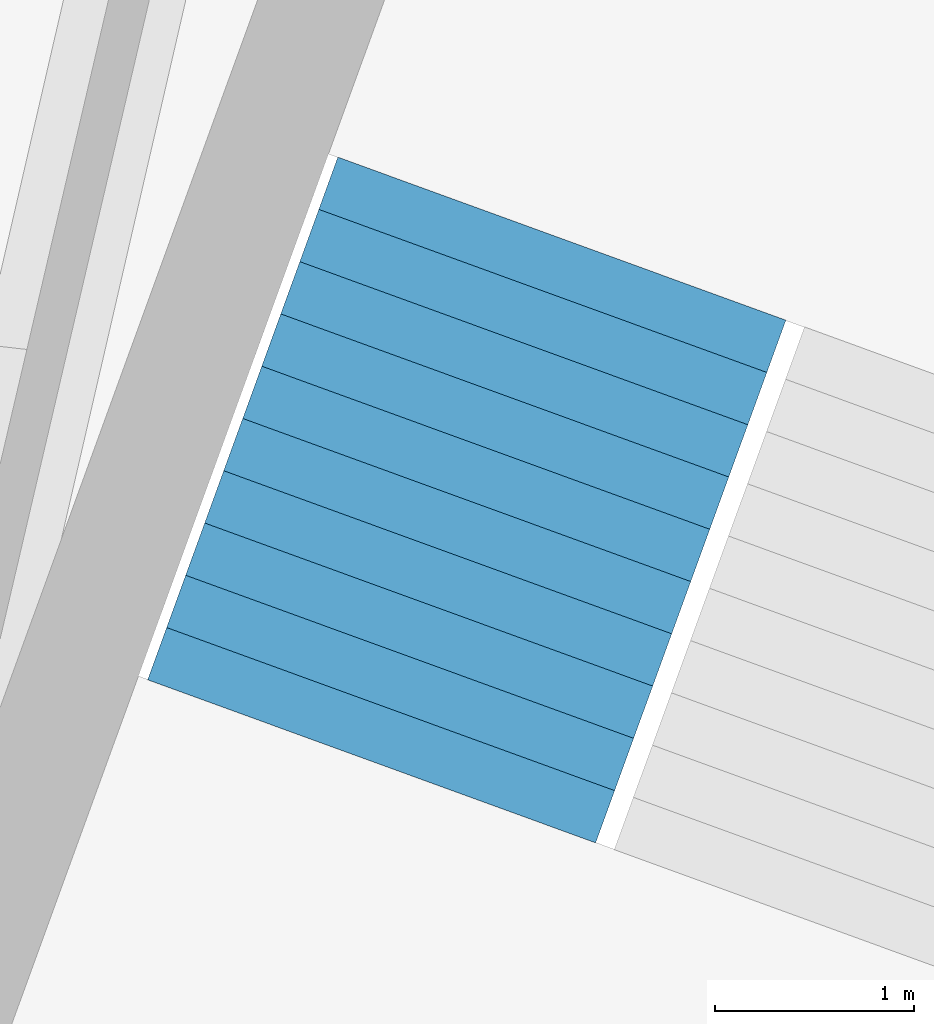
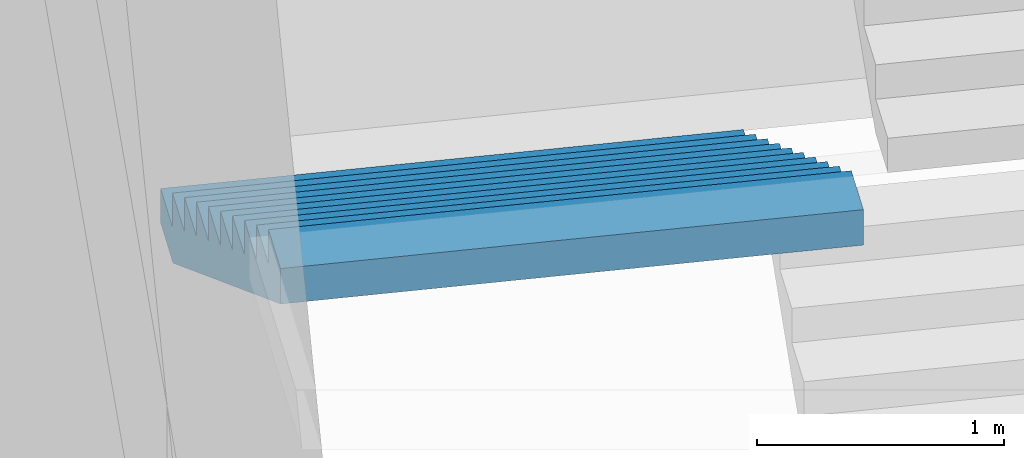
# One storey, part 47 of 73: 1 stair flight, 1 element without a shape of its own.
"""IFC4 building model written with IfcOpenShell, lengths in metres."""

from ifc_helpers import new_model, si_unit, direction, frame, origin, place, context, subcontext, project, spatial, triangles, material, type_object, element, aggregate, save


model = new_model("IFC4")

# Units and contexts
model_context = context("Model", 3, precision=1e-05, world=origin(), true_north=direction((0.0, 1.0)))
body_context = subcontext(model_context, "Body", "Model", "MODEL_VIEW")
ifc_project = project(units=[si_unit("LENGTHUNIT", "METRE"), si_unit("AREAUNIT", "SQUARE_METRE"), si_unit("VOLUMEUNIT", "CUBIC_METRE"), si_unit("PLANEANGLEUNIT", "RADIAN"), si_unit("MASSUNIT", "GRAM", prefix="KILO")], contexts=[model_context])

# Site, building, storey
site_placement = place(None, origin())
site = spatial("IfcSite", under=ifc_project, at=site_placement, CompositionType="ELEMENT")
building_placement = place(site_placement, origin())
building = spatial("IfcBuilding", under=site, at=building_placement, Name="Lantaw Convention Tower", CompositionType="ELEMENT")
storey_placement = place(building_placement, frame((0.0, 0.0, 14.5)))
storey = spatial("IfcBuildingStorey", under=building, at=storey_placement, Name="L02", CompositionType="ELEMENT", Elevation=14.5)

# Stair, stair flight
ifc_material = material(Name="Concrete C35/45", Category="concrete")
stair_type = type_object("IfcStairType", Name="Exit stair 2400 riser 170.45 in 4 flights", PredefinedType="HALF_TURN_STAIR", material=ifc_material)
stair_placement = place(storey_placement, origin())
stair = element("IfcStair", 1, at=stair_placement, inside=storey, type_object=stair_type, Name="Podium exit stair P5 L02", PredefinedType="HALF_TURN_STAIR")
stair_flight_type = type_object("IfcStairFlightType", Name="Stair flight 2400 riser 170.45", PredefinedType="STRAIGHT", material=ifc_material)
stair_flight_placement = place(storey_placement, frame((9.084716796875, 28.61474609375, 1.875), z_axis=(0.0, 0.0, 1.0), x_axis=(-0.342020143326, -0.939692620786, 0.0)))
stair_flight = element("IfcStairFlight", 2, at=stair_flight_placement, type_object=stair_flight_type, Name="P5 flight 2", NumberOfRisers=11, NumberOfTreads=10, PredefinedType="STRAIGHT", RiserHeight=0.170454545, TreadLength=0.28, context=body_context, shape_type="Tessellation", body=[
    triangles([(0.0, 1.199951171875, 0.0), (0.0, 1.199951171875, 0.170454545), (0.28, 1.199951171875, 0.0), (0.28, 1.199951171875, 0.170454545), (0.28, 1.199951171875, 0.34090909), (0.28827876332691904, 1.199951171875, 0.0), (0.28827876332691904, 1.199951171875, 0.34090909), (0.56, 1.199951171875, 0.16541471344266906), (0.56, 1.199951171875, 0.34090909), (0.56, 1.199951171875, 0.511363635), (0.8400000000000001, 1.199951171875, 0.335869258442669), (0.8400000000000001, 1.199951171875, 0.511363635), (0.8400000000000001, 1.199951171875, 0.68181818), (1.12, 1.199951171875, 0.506323803442669), (1.12, 1.199951171875, 0.68181818), (1.12, 1.199951171875, 0.8522727250000001), (1.4000000000000001, 1.199951171875, 0.676778348442669), (1.4000000000000001, 1.199951171875, 0.8522727250000001), (1.4000000000000001, 1.199951171875, 1.02272727), (1.6800000000000002, 1.199951171875, 0.847232893442669), (1.6800000000000002, 1.199951171875, 1.02272727), (1.6800000000000002, 1.199951171875, 1.193181815), (1.9600000000000002, 1.199951171875, 1.017687438442669), (1.9600000000000002, 1.199951171875, 1.193181815), (1.9600000000000002, 1.199951171875, 1.36363636), (2.24, 1.199951171875, 1.188141983442669), (2.24, 1.199951171875, 1.36363636), (2.24, 1.199951171875, 1.5340909050000002), (2.5200000000000005, 1.199951171875, 1.358596528442669), (2.5200000000000005, 1.199951171875, 1.5340909050000002), (2.5200000000000005, 1.199951171875, 1.7045454500000001), (2.8000000000000003, 1.199951171875, 1.529051073442669), (2.8000000000000003, 1.199951171875, 1.7045454500000001), (0.0, -1.199951171875, 0.0), (0.0, -1.199951171875, 0.170454545), (0.28, -1.199951171875, 0.0), (0.28, -1.199951171875, 0.170454545), (0.28, -1.199951171875, 0.34090909), (0.28827876332691904, -1.199951171875, 0.0), (0.28827876332691904, -1.199951171875, 0.34090909), (0.56, -1.199951171875, 0.16541471344266906), (0.56, -1.199951171875, 0.34090909), (0.56, -1.199951171875, 0.511363635), (0.8400000000000001, -1.199951171875, 0.335869258442669), (0.8400000000000001, -1.199951171875, 0.511363635), (0.8400000000000001, -1.199951171875, 0.68181818), (1.12, -1.199951171875, 0.506323803442669), (1.12, -1.199951171875, 0.68181818), (1.12, -1.199951171875, 0.8522727250000001), (1.4000000000000001, -1.199951171875, 0.676778348442669), (1.4000000000000001, -1.199951171875, 0.8522727250000001), (1.4000000000000001, -1.199951171875, 1.02272727), (1.6800000000000002, -1.199951171875, 0.847232893442669), (1.6800000000000002, -1.199951171875, 1.02272727), (1.6800000000000002, -1.199951171875, 1.193181815), (1.9600000000000002, -1.199951171875, 1.017687438442669), (1.9600000000000002, -1.199951171875, 1.193181815), (1.9600000000000002, -1.199951171875, 1.36363636), (2.24, -1.199951171875, 1.188141983442669), (2.24, -1.199951171875, 1.36363636), (2.24, -1.199951171875, 1.5340909050000002), (2.5200000000000005, -1.199951171875, 1.358596528442669), (2.5200000000000005, -1.199951171875, 1.5340909050000002), (2.5200000000000005, -1.199951171875, 1.7045454500000001), (2.8000000000000003, -1.199951171875, 1.529051073442669), (2.8000000000000003, -1.199951171875, 1.7045454500000001), (0.0, 0.239990234375, 0.170454545), (0.0, 0.239990234375, 0.0), (0.0, 0.1199951171875, 0.170454545), (0.0, 0.1199951171875, 0.0), (0.0, 0.0, 0.170454545), (0.0, 0.0, 0.0), (0.0, -0.1199951171875, 0.170454545), (0.0, -0.1199951171875, 0.0), (0.0, -0.239990234375, 0.170454545), (0.0, -0.239990234375, 0.0), (0.28, 0.239990234375, 0.34090909), (0.28, 0.239990234375, 0.170454545), (0.28, 0.1199951171875, 0.34090909), (0.28, 0.1199951171875, 0.170454545), (0.28, 0.0, 0.34090909), (0.28, 0.0, 0.170454545), (0.28, -0.1199951171875, 0.34090909), (0.28, -0.1199951171875, 0.170454545), (0.28, -0.239990234375, 0.34090909), (0.28, -0.239990234375, 0.170454545), (0.56, 0.239990234375, 0.511363635), (0.56, 0.239990234375, 0.34090909), (0.56, 0.1199951171875, 0.511363635), (0.56, 0.1199951171875, 0.34090909), (0.56, 0.0, 0.511363635), (0.56, 0.0, 0.34090909), (0.56, -0.1199951171875, 0.511363635), (0.56, -0.1199951171875, 0.34090909), (0.56, -0.239990234375, 0.511363635), (0.56, -0.239990234375, 0.34090909), (0.8400000000000001, 0.239990234375, 0.68181818), (0.8400000000000001, 0.239990234375, 0.511363635), (0.8400000000000001, 0.1199951171875, 0.68181818), (0.8400000000000001, 0.1199951171875, 0.511363635), (0.8400000000000001, 0.0, 0.68181818), (0.8400000000000001, 0.0, 0.511363635), (0.8400000000000001, -0.1199951171875, 0.68181818), (0.8400000000000001, -0.1199951171875, 0.511363635), (0.8400000000000001, -0.239990234375, 0.68181818), (0.8400000000000001, -0.239990234375, 0.511363635), (1.12, 0.239990234375, 0.8522727250000001), (1.12, 0.239990234375, 0.68181818), (1.12, 0.1199951171875, 0.8522727250000001), (1.12, 0.1199951171875, 0.68181818), (1.12, 0.0, 0.8522727250000001), (1.12, 0.0, 0.68181818), (1.12, -0.1199951171875, 0.8522727250000001), (1.12, -0.1199951171875, 0.68181818), (1.12, -0.239990234375, 0.8522727250000001), (1.12, -0.239990234375, 0.68181818), (1.4000000000000001, 0.239990234375, 1.02272727), (1.4000000000000001, 0.239990234375, 0.8522727250000001), (1.4000000000000001, 0.1199951171875, 1.02272727), (1.4000000000000001, 0.1199951171875, 0.8522727250000001), (1.4000000000000001, 0.0, 1.02272727), (1.4000000000000001, 0.0, 0.8522727250000001), (1.4000000000000001, -0.1199951171875, 1.02272727), (1.4000000000000001, -0.1199951171875, 0.8522727250000001), (1.4000000000000001, -0.239990234375, 1.02272727), (1.4000000000000001, -0.239990234375, 0.8522727250000001), (1.6800000000000002, 0.239990234375, 1.193181815), (1.6800000000000002, 0.239990234375, 1.02272727), (1.6800000000000002, 0.1199951171875, 1.193181815), (1.6800000000000002, 0.1199951171875, 1.02272727), (1.6800000000000002, 0.0, 1.193181815), (1.6800000000000002, 0.0, 1.02272727), (1.6800000000000002, -0.1199951171875, 1.193181815), (1.6800000000000002, -0.1199951171875, 1.02272727), (1.6800000000000002, -0.239990234375, 1.193181815), (1.6800000000000002, -0.239990234375, 1.02272727), (1.9600000000000002, 0.239990234375, 1.36363636), (1.9600000000000002, 0.239990234375, 1.193181815), (1.9600000000000002, 0.1199951171875, 1.36363636), (1.9600000000000002, 0.1199951171875, 1.193181815), (1.9600000000000002, 0.0, 1.36363636), (1.9600000000000002, 0.0, 1.193181815), (1.9600000000000002, -0.1199951171875, 1.36363636), (1.9600000000000002, -0.1199951171875, 1.193181815), (1.9600000000000002, -0.239990234375, 1.36363636), (1.9600000000000002, -0.239990234375, 1.193181815), (2.24, 0.239990234375, 1.5340909050000002), (2.24, 0.239990234375, 1.36363636), (2.24, 0.1199951171875, 1.5340909050000002), (2.24, 0.1199951171875, 1.36363636), (2.24, 0.0, 1.5340909050000002), (2.24, 0.0, 1.36363636), (2.24, -0.1199951171875, 1.5340909050000002), (2.24, -0.1199951171875, 1.36363636), (2.24, -0.239990234375, 1.5340909050000002), (2.24, -0.239990234375, 1.36363636), (2.5200000000000005, 0.239990234375, 1.7045454500000001), (2.5200000000000005, 0.239990234375, 1.5340909050000002), (2.5200000000000005, 0.1199951171875, 1.7045454500000001), (2.5200000000000005, 0.1199951171875, 1.5340909050000002), (2.5200000000000005, 0.0, 1.7045454500000001), (2.5200000000000005, 0.0, 1.5340909050000002), (2.5200000000000005, -0.1199951171875, 1.7045454500000001), (2.5200000000000005, -0.1199951171875, 1.5340909050000002), (2.5200000000000005, -0.239990234375, 1.7045454500000001), (2.5200000000000005, -0.239990234375, 1.5340909050000002), (0.28827876332691904, 0.239990234375, 0.34090909), (0.28827876332691904, 0.1199951171875, 0.34090909), (0.28827876332691904, 0.0, 0.34090909), (0.28827876332691904, -0.1199951171875, 0.34090909), (0.28827876332691904, -0.239990234375, 0.34090909), (2.8000000000000003, 0.239990234375, 1.7045454500000001), (2.8000000000000003, 0.1199951171875, 1.7045454500000001), (2.8000000000000003, 0.0, 1.7045454500000001), (2.8000000000000003, -0.1199951171875, 1.7045454500000001), (2.8000000000000003, -0.239990234375, 1.7045454500000001), (2.8000000000000003, 0.239990234375, 1.5290510734426692), (2.8000000000000003, 0.1199951171875, 1.5290510734426692), (2.8000000000000003, 0.0, 1.5290510734426692), (2.8000000000000003, -0.1199951171875, 1.5290510734426692), (2.8000000000000003, -0.239990234375, 1.5290510734426692), (2.5200000000000005, 0.239990234375, 1.358596528442669), (2.5200000000000005, 0.1199951171875, 1.358596528442669), (2.5200000000000005, 0.0, 1.358596528442669), (2.5200000000000005, -0.1199951171875, 1.358596528442669), (2.5200000000000005, -0.239990234375, 1.358596528442669), (2.24, 0.239990234375, 1.188141983442669), (2.24, 0.1199951171875, 1.188141983442669), (2.24, 0.0, 1.188141983442669), (2.24, -0.1199951171875, 1.188141983442669), (2.24, -0.239990234375, 1.188141983442669), (1.9600000000000002, 0.239990234375, 1.017687438442669), (1.9600000000000002, 0.1199951171875, 1.017687438442669), (1.9600000000000002, 0.0, 1.017687438442669), (1.9600000000000002, -0.1199951171875, 1.017687438442669), (1.9600000000000002, -0.239990234375, 1.017687438442669), (1.6800000000000002, 0.239990234375, 0.847232893442669), (1.6800000000000002, 0.1199951171875, 0.847232893442669), (1.6800000000000002, 0.0, 0.847232893442669), (1.6800000000000002, -0.1199951171875, 0.847232893442669), (1.6800000000000002, -0.239990234375, 0.847232893442669), (1.4000000000000001, 0.239990234375, 0.676778348442669), (1.4000000000000001, 0.1199951171875, 0.676778348442669), (1.4000000000000001, 0.0, 0.676778348442669), (1.4000000000000001, -0.1199951171875, 0.676778348442669), (1.4000000000000001, -0.239990234375, 0.676778348442669), (1.12, 0.239990234375, 0.506323803442669), (1.12, 0.1199951171875, 0.506323803442669), (1.12, 0.0, 0.506323803442669), (1.12, -0.1199951171875, 0.506323803442669), (1.12, -0.239990234375, 0.506323803442669), (0.8400000000000001, 0.239990234375, 0.335869258442669), (0.8400000000000001, 0.1199951171875, 0.335869258442669), (0.8400000000000001, 0.0, 0.335869258442669), (0.8400000000000001, -0.1199951171875, 0.335869258442669), (0.8400000000000001, -0.239990234375, 0.335869258442669), (0.56, 0.239990234375, 0.16541471344266906), (0.56, 0.1199951171875, 0.16541471344266906), (0.56, 0.0, 0.16541471344266906), (0.56, -0.1199951171875, 0.16541471344266906), (0.56, -0.239990234375, 0.16541471344266906), (0.28827876332691904, 0.239990234375, 0.0), (0.28827876332691904, 0.1199951171875, 0.0), (0.28827876332691904, 0.0, 0.0), (0.28827876332691904, -0.1199951171875, 0.0), (0.28827876332691904, -0.239990234375, 0.0), (0.28, 0.239990234375, 0.0), (0.28, 0.1199951171875, 0.0), (0.28, 0.0, 0.0), (0.28, -0.1199951171875, 0.0), (0.28, -0.239990234375, 0.0)], [[1, 4, 3], [1, 2, 4], [3, 4, 6], [4, 7, 6], [4, 5, 7], [6, 9, 8], [6, 7, 9], [8, 9, 11], [9, 12, 11], [9, 10, 12], [11, 12, 14], [12, 15, 14], [12, 13, 15], [14, 15, 17], [15, 18, 17], [15, 16, 18], [17, 18, 20], [18, 21, 20], [18, 19, 21], [20, 21, 23], [21, 24, 23], [21, 22, 24], [23, 24, 26], [24, 27, 26], [24, 25, 27], [26, 27, 29], [27, 30, 29], [27, 28, 30], [29, 30, 32], [30, 33, 32], [30, 31, 33], [34, 36, 37], [34, 37, 35], [36, 39, 37], [37, 39, 40], [37, 40, 38], [39, 41, 42], [39, 42, 40], [41, 44, 42], [42, 44, 45], [42, 45, 43], [44, 47, 45], [45, 47, 48], [45, 48, 46], [47, 50, 48], [48, 50, 51], [48, 51, 49], [50, 53, 51], [51, 53, 54], [51, 54, 52], [53, 56, 54], [54, 56, 57], [54, 57, 55], [56, 59, 57], [57, 59, 60], [57, 60, 58], [59, 62, 60], [60, 62, 63], [60, 63, 61], [62, 65, 63], [63, 65, 66], [63, 66, 64], [1, 67, 2], [1, 68, 67], [68, 69, 67], [68, 70, 69], [70, 71, 69], [70, 72, 71], [72, 73, 71], [72, 74, 73], [74, 75, 73], [74, 76, 75], [76, 35, 75], [76, 34, 35], [4, 77, 5], [4, 78, 77], [78, 79, 77], [78, 80, 79], [80, 81, 79], [80, 82, 81], [82, 83, 81], [82, 84, 83], [84, 85, 83], [84, 86, 85], [86, 38, 85], [86, 37, 38], [9, 87, 10], [9, 88, 87], [88, 89, 87], [88, 90, 89], [90, 91, 89], [90, 92, 91], [92, 93, 91], [92, 94, 93], [94, 95, 93], [94, 96, 95], [96, 43, 95], [96, 42, 43], [12, 97, 13], [12, 98, 97], [98, 99, 97], [98, 100, 99], [100, 101, 99], [100, 102, 101], [102, 103, 101], [102, 104, 103], [104, 105, 103], [104, 106, 105], [106, 46, 105], [106, 45, 46], [15, 107, 16], [15, 108, 107], [108, 109, 107], [108, 110, 109], [110, 111, 109], [110, 112, 111], [112, 113, 111], [112, 114, 113], [114, 115, 113], [114, 116, 115], [116, 49, 115], [116, 48, 49], [18, 117, 19], [18, 118, 117], [118, 119, 117], [118, 120, 119], [120, 121, 119], [120, 122, 121], [122, 123, 121], [122, 124, 123], [124, 125, 123], [124, 126, 125], [126, 52, 125], [126, 51, 52], [21, 127, 22], [21, 128, 127], [128, 129, 127], [128, 130, 129], [130, 131, 129], [130, 132, 131], [132, 133, 131], [132, 134, 133], [134, 135, 133], [134, 136, 135], [136, 55, 135], [136, 54, 55], [24, 137, 25], [24, 138, 137], [138, 139, 137], [138, 140, 139], [140, 141, 139], [140, 142, 141], [142, 143, 141], [142, 144, 143], [144, 145, 143], [144, 146, 145], [146, 58, 145], [146, 57, 58], [27, 147, 28], [27, 148, 147], [148, 149, 147], [148, 150, 149], [150, 151, 149], [150, 152, 151], [152, 153, 151], [152, 154, 153], [154, 155, 153], [154, 156, 155], [156, 61, 155], [156, 60, 61], [30, 157, 31], [30, 158, 157], [158, 159, 157], [158, 160, 159], [160, 161, 159], [160, 162, 161], [162, 163, 161], [162, 164, 163], [164, 165, 163], [164, 166, 165], [166, 64, 165], [166, 63, 64], [2, 78, 4], [2, 67, 78], [67, 80, 78], [67, 69, 80], [69, 82, 80], [69, 71, 82], [71, 84, 82], [71, 73, 84], [73, 86, 84], [73, 75, 86], [75, 37, 86], [75, 35, 37], [5, 167, 7], [5, 77, 167], [77, 168, 167], [77, 79, 168], [79, 169, 168], [79, 81, 169], [81, 170, 169], [81, 83, 170], [83, 171, 170], [83, 85, 171], [85, 40, 171], [85, 38, 40], [7, 88, 9], [7, 167, 88], [167, 90, 88], [167, 168, 90], [168, 92, 90], [168, 169, 92], [169, 94, 92], [169, 170, 94], [170, 96, 94], [170, 171, 96], [171, 42, 96], [171, 40, 42], [10, 98, 12], [10, 87, 98], [87, 100, 98], [87, 89, 100], [89, 102, 100], [89, 91, 102], [91, 104, 102], [91, 93, 104], [93, 106, 104], [93, 95, 106], [95, 45, 106], [95, 43, 45], [13, 108, 15], [13, 97, 108], [97, 110, 108], [97, 99, 110], [99, 112, 110], [99, 101, 112], [101, 114, 112], [101, 103, 114], [103, 116, 114], [103, 105, 116], [105, 48, 116], [105, 46, 48], [16, 118, 18], [16, 107, 118], [107, 120, 118], [107, 109, 120], [109, 122, 120], [109, 111, 122], [111, 124, 122], [111, 113, 124], [113, 126, 124], [113, 115, 126], [115, 51, 126], [115, 49, 51], [19, 128, 21], [19, 117, 128], [117, 130, 128], [117, 119, 130], [119, 132, 130], [119, 121, 132], [121, 134, 132], [121, 123, 134], [123, 136, 134], [123, 125, 136], [125, 54, 136], [125, 52, 54], [22, 138, 24], [22, 127, 138], [127, 140, 138], [127, 129, 140], [129, 142, 140], [129, 131, 142], [131, 144, 142], [131, 133, 144], [133, 146, 144], [133, 135, 146], [135, 57, 146], [135, 55, 57], [25, 148, 27], [25, 137, 148], [137, 150, 148], [137, 139, 150], [139, 152, 150], [139, 141, 152], [141, 154, 152], [141, 143, 154], [143, 156, 154], [143, 145, 156], [145, 60, 156], [145, 58, 60], [28, 158, 30], [28, 147, 158], [147, 160, 158], [147, 149, 160], [149, 162, 160], [149, 151, 162], [151, 164, 162], [151, 153, 164], [153, 166, 164], [153, 155, 166], [155, 63, 166], [155, 61, 63], [31, 172, 33], [31, 157, 172], [157, 173, 172], [157, 159, 173], [159, 174, 173], [159, 161, 174], [161, 175, 174], [161, 163, 175], [163, 176, 175], [163, 165, 176], [165, 66, 176], [165, 64, 66], [33, 177, 32], [33, 172, 177], [172, 178, 177], [172, 173, 178], [173, 179, 178], [173, 174, 179], [174, 180, 179], [174, 175, 180], [175, 181, 180], [175, 176, 181], [176, 65, 181], [176, 66, 65], [32, 182, 29], [32, 177, 182], [177, 183, 182], [177, 178, 183], [178, 184, 183], [178, 179, 184], [179, 185, 184], [179, 180, 185], [180, 186, 185], [180, 181, 186], [181, 62, 186], [181, 65, 62], [29, 187, 26], [29, 182, 187], [182, 188, 187], [182, 183, 188], [183, 189, 188], [183, 184, 189], [184, 190, 189], [184, 185, 190], [185, 191, 190], [185, 186, 191], [186, 59, 191], [186, 62, 59], [26, 192, 23], [26, 187, 192], [187, 193, 192], [187, 188, 193], [188, 194, 193], [188, 189, 194], [189, 195, 194], [189, 190, 195], [190, 196, 195], [190, 191, 196], [191, 56, 196], [191, 59, 56], [23, 197, 20], [23, 192, 197], [192, 198, 197], [192, 193, 198], [193, 199, 198], [193, 194, 199], [194, 200, 199], [194, 195, 200], [195, 201, 200], [195, 196, 201], [196, 53, 201], [196, 56, 53], [20, 202, 17], [20, 197, 202], [197, 203, 202], [197, 198, 203], [198, 204, 203], [198, 199, 204], [199, 205, 204], [199, 200, 205], [200, 206, 205], [200, 201, 206], [201, 50, 206], [201, 53, 50], [17, 207, 14], [17, 202, 207], [202, 208, 207], [202, 203, 208], [203, 209, 208], [203, 204, 209], [204, 210, 209], [204, 205, 210], [205, 211, 210], [205, 206, 211], [206, 47, 211], [206, 50, 47], [14, 212, 11], [14, 207, 212], [207, 213, 212], [207, 208, 213], [208, 214, 213], [208, 209, 214], [209, 215, 214], [209, 210, 215], [210, 216, 215], [210, 211, 216], [211, 44, 216], [211, 47, 44], [11, 217, 8], [11, 212, 217], [212, 218, 217], [212, 213, 218], [213, 219, 218], [213, 214, 219], [214, 220, 219], [214, 215, 220], [215, 221, 220], [215, 216, 221], [216, 41, 221], [216, 44, 41], [8, 222, 6], [8, 217, 222], [217, 223, 222], [217, 218, 223], [218, 224, 223], [218, 219, 224], [219, 225, 224], [219, 220, 225], [220, 226, 225], [220, 221, 226], [221, 39, 226], [221, 41, 39], [6, 227, 3], [6, 222, 227], [222, 228, 227], [222, 223, 228], [223, 229, 228], [223, 224, 229], [224, 230, 229], [224, 225, 230], [225, 231, 230], [225, 226, 231], [226, 36, 231], [226, 39, 36], [3, 68, 1], [3, 227, 68], [227, 70, 68], [227, 228, 70], [228, 72, 70], [228, 229, 72], [229, 74, 72], [229, 230, 74], [230, 76, 74], [230, 231, 76], [231, 34, 76], [231, 36, 34]], closed=True),
])
aggregate(stair, [stair_flight])

save(model, "model.ifc")
